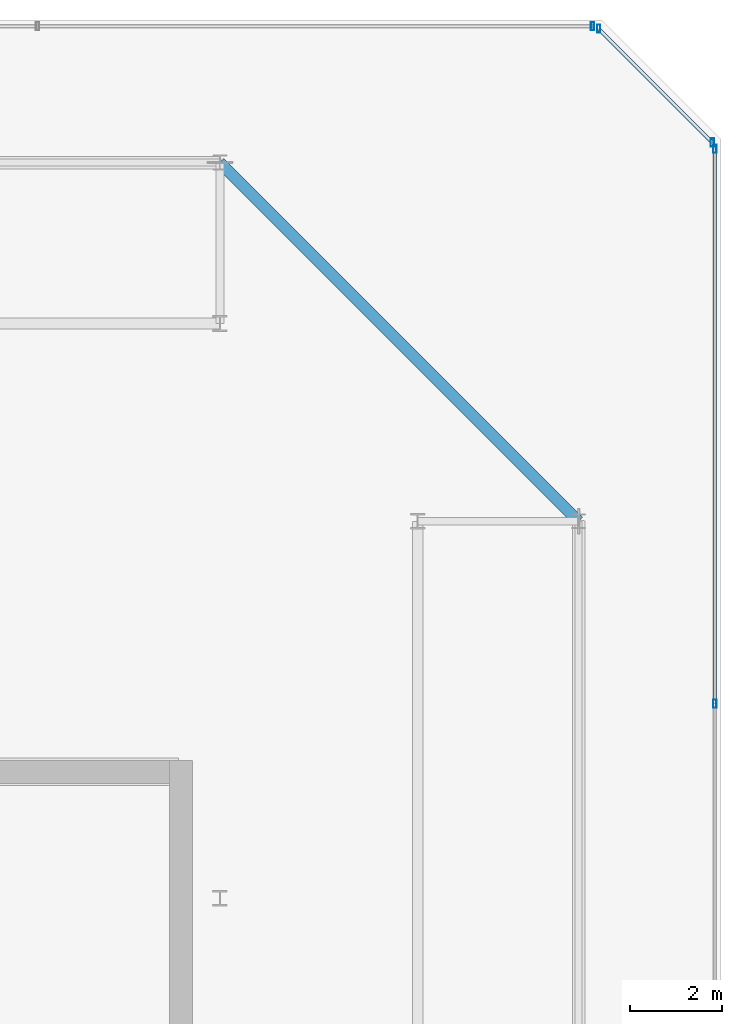
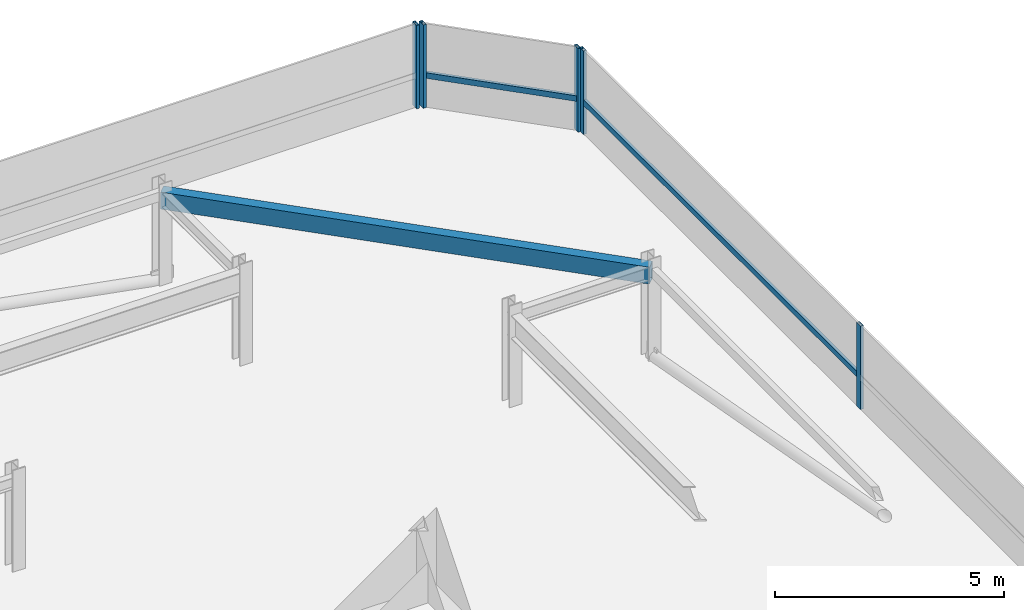
# One storey, part 36 of 42: 7 members, 1 beam, 3 elements without a shape of their own.
"""IFC4 building model written with IfcOpenShell, lengths in metres."""

from ifc_helpers import new_model, si_unit, direction, frame, origin, origin_2d, place, context, subcontext, project, spatial, hollow_rectangle, extrude, material, material_profile, profile_set, type_object, element, aggregate, save


model = new_model("IFC4")

# Units and contexts
model_context = context("Model", 3, precision=1e-05, world=origin(), true_north=direction((0.0, 1.0)))
body_context = subcontext(model_context, "Body", "Model", "MODEL_VIEW")
ifc_project = project(units=[si_unit("LENGTHUNIT", "METRE"), si_unit("AREAUNIT", "SQUARE_METRE"), si_unit("VOLUMEUNIT", "CUBIC_METRE"), si_unit("PLANEANGLEUNIT", "RADIAN"), si_unit("MASSUNIT", "GRAM", prefix="KILO")], contexts=[model_context])

# Site, building, storey
site_placement = place(None, origin())
site = spatial("IfcSite", under=ifc_project, at=site_placement, CompositionType="ELEMENT")
building_placement = place(site_placement, origin())
building = spatial("IfcBuilding", under=site, at=building_placement, Name="Thornwick Lancets Civic Towers", CompositionType="ELEMENT")
storey_placement = place(building_placement, frame((0.0, 0.0, 289.5)))
storey = spatial("IfcBuildingStorey", under=building, at=storey_placement, Name="C04", CompositionType="ELEMENT", Elevation=289.5)

# Beam
ifc_material_1 = material(Name="Steel S355JR", Category="steel")
ifc_material_profile_1 = material_profile(ifc_material_1, hollow_rectangle(XDim=0.25, YDim=0.449951171875, WallThickness=0.01611328125, at=origin_2d()), Name="RHS 450x250x16")
ifc_profile_set_1 = profile_set([ifc_material_profile_1], Name="Steel S355JR")
beam_type = type_object("IfcBeamType", Name="BM_RING_RHS450", PredefinedType="BEAM", material=ifc_profile_set_1)
beam_placement = place(storey_placement, frame((109.300048828125, 40.0, 2.215087890625), z_axis=(-0.707106781187, 0.707106781187, 0.0), x_axis=(-0.707106781187, -0.707106781187, 0.0)))
element("IfcBeam", 1, at=beam_placement, inside=storey, type_object=beam_type, Name="BM-CHAMF-C04-B-C0", PredefinedType="BEAM", context=body_context, shape_type="SweptSolid", body=[
    extrude(hollow_rectangle(XDim=0.25, YDim=0.449951171875, WallThickness=0.01611328125, at=origin_2d()), origin(), (0.0, 0.0, 1.0), 11.031005859375),
])

# Curtain wall, members
ifc_material_2 = material(Name="Crown ring acoustic-louvre and glazing screen wall", Category="glass")
curtain_wall_type = type_object("IfcCurtainWallType", Name="CW_SYS_07", PredefinedType="NOTDEFINED", material=ifc_material_2)
curtain_wall_1_placement = place(storey_placement, origin())
curtain_wall_1 = element("IfcCurtainWall", 2, at=curtain_wall_1_placement, inside=storey, type_object=curtain_wall_type, Name="C04 Curtain Wall CW-C04-B-E2", PredefinedType="NOTDEFINED")
ifc_material_3 = material(Name="Thermally broken bronze aluminium S355", Category="steel")
ifc_material_profile_2 = material_profile(ifc_material_3, hollow_rectangle(XDim=0.074951171875, YDim=0.179931640625, WallThickness=0.006103515625, at=origin_2d()), Name="RHS 180x75x6")
ifc_profile_set_2 = profile_set([ifc_material_profile_2], Name="Thermally broken bronze aluminium S355")
member_type_1 = type_object("IfcMemberType", Name="CW_MUL_180", PredefinedType="MULLION", material=ifc_profile_set_2)
member_1_placement = place(storey_placement, frame((112.2646484375, 36.03369140625, 0.0), z_axis=(0.0, 0.0, 1.0), x_axis=(1.0, 0.0, 0.0)))
member_1 = element("IfcMember", 3, at=member_1_placement, type_object=member_type_1, Name="CW-C04-B-E2 Mullion 2", PredefinedType="MULLION", context=body_context, shape_type="SweptSolid", body=[
    extrude(hollow_rectangle(XDim=0.074951171875, YDim=0.179931640625, WallThickness=0.006103515625, at=origin_2d()), origin(), (0.0, 0.0, 1.0), 2.219970703125),
])
member_2_placement = place(storey_placement, frame((112.2646484375, 48.101318359375, 0.0), z_axis=(0.0, 0.0, 1.0), x_axis=(1.0, 0.0, 0.0)))
member_2 = element("IfcMember", 4, at=member_2_placement, type_object=member_type_1, Name="CW-C04-B-E2 Mullion 3", PredefinedType="MULLION", context=body_context, shape_type="SweptSolid", body=[
    extrude(hollow_rectangle(XDim=0.074951171875, YDim=0.179931640625, WallThickness=0.006103515625, at=origin_2d()), origin(), (0.0, 0.0, 1.0), 2.219970703125),
])

curtain_wall_2_placement = place(storey_placement, origin())
curtain_wall_2 = element("IfcCurtainWall", 5, at=curtain_wall_2_placement, inside=storey, type_object=curtain_wall_type, Name="C04 Curtain Wall CW-C04-B-E3", PredefinedType="NOTDEFINED")
member_3_placement = place(storey_placement, frame((112.2080078125, 48.238037109375, 0.0), z_axis=(0.0, 0.0, 1.0), x_axis=(1.0, 0.0, 0.0)))
member_3 = element("IfcMember", 6, at=member_3_placement, type_object=member_type_1, Name="CW-C04-B-E3 Mullion 0", PredefinedType="MULLION", context=body_context, shape_type="SweptSolid", body=[
    extrude(hollow_rectangle(XDim=0.074951171875, YDim=0.179931640625, WallThickness=0.006103515625, at=origin_2d()), origin(), (0.0, 0.0, 1.0), 2.219970703125),
])
member_4_placement = place(storey_placement, frame((109.738037109375, 50.7080078125, 0.0), z_axis=(0.0, 0.0, 1.0), x_axis=(1.0, 0.0, 0.0)))
member_4 = element("IfcMember", 7, at=member_4_placement, type_object=member_type_1, Name="CW-C04-B-E3 Mullion 1", PredefinedType="MULLION", context=body_context, shape_type="SweptSolid", body=[
    extrude(hollow_rectangle(XDim=0.074951171875, YDim=0.179931640625, WallThickness=0.006103515625, at=origin_2d()), origin(), (0.0, 0.0, 1.0), 2.219970703125),
])

# Curtain wall, member
curtain_wall_3_placement = place(storey_placement, origin())
curtain_wall_3 = element("IfcCurtainWall", 8, at=curtain_wall_3_placement, inside=storey, type_object=curtain_wall_type, Name="C04 Curtain Wall CW-C04-B-E4", PredefinedType="NOTDEFINED")
member_5_placement = place(storey_placement, frame((109.601318359375, 50.7646484375, 0.0), z_axis=(0.0, 0.0, 1.0), x_axis=(1.0, 0.0, 0.0)))
member_5 = element("IfcMember", 9, at=member_5_placement, type_object=member_type_1, Name="CW-C04-B-E4 Mullion 0", PredefinedType="MULLION", context=body_context, shape_type="SweptSolid", body=[
    extrude(hollow_rectangle(XDim=0.074951171875, YDim=0.179931640625, WallThickness=0.006103515625, at=origin_2d()), origin(), (0.0, 0.0, 1.0), 2.219970703125),
])
aggregate(curtain_wall_3, [member_5])

# Member
ifc_material_profile_3 = material_profile(ifc_material_3, hollow_rectangle(XDim=0.074951171875, YDim=0.14990234375, WallThickness=0.0048828125, at=origin_2d()), Name="RHS 150x75x5")
ifc_profile_set_3 = profile_set([ifc_material_profile_3], Name="Thermally broken bronze aluminium S355")
member_type_2 = type_object("IfcMemberType", Name="CW_TRN_150", PredefinedType="USERDEFINED", material=ifc_profile_set_3)
member_6_placement = place(storey_placement, frame((112.2646484375, 36.0537109375, 0.85009765625), z_axis=(0.0, 1.0, 0.0), x_axis=(-1.0, 0.0, 0.0)))
member_6 = element("IfcMember", 10, at=member_6_placement, type_object=member_type_2, Name="CW-C04-B-E2 Transom 2", ObjectType="TRANSOM", PredefinedType="USERDEFINED", context=body_context, shape_type="SweptSolid", body=[
    extrude(hollow_rectangle(XDim=0.074951171875, YDim=0.14990234375, WallThickness=0.0048828125, at=origin_2d()), origin(), (0.0, 0.0, 1.0), 12.027587890625),
])

aggregate(curtain_wall_1, [member_1, member_2, member_6])

member_7_placement = place(storey_placement, frame((112.19384765625, 48.252197265625, 0.85009765625), z_axis=(-0.707106781187, 0.707106781187, 0.0), x_axis=(-0.707106781187, -0.707106781187, 0.0)))
member_7 = element("IfcMember", 11, at=member_7_placement, type_object=member_type_2, Name="CW-C04-B-E3 Transom 0", ObjectType="TRANSOM", PredefinedType="USERDEFINED", context=body_context, shape_type="SweptSolid", body=[
    extrude(hollow_rectangle(XDim=0.074951171875, YDim=0.14990234375, WallThickness=0.0048828125, at=origin_2d()), origin(), (0.0, 0.0, 1.0), 3.453125),
])

aggregate(curtain_wall_2, [member_3, member_4, member_7])

save(model, "model.ifc")
